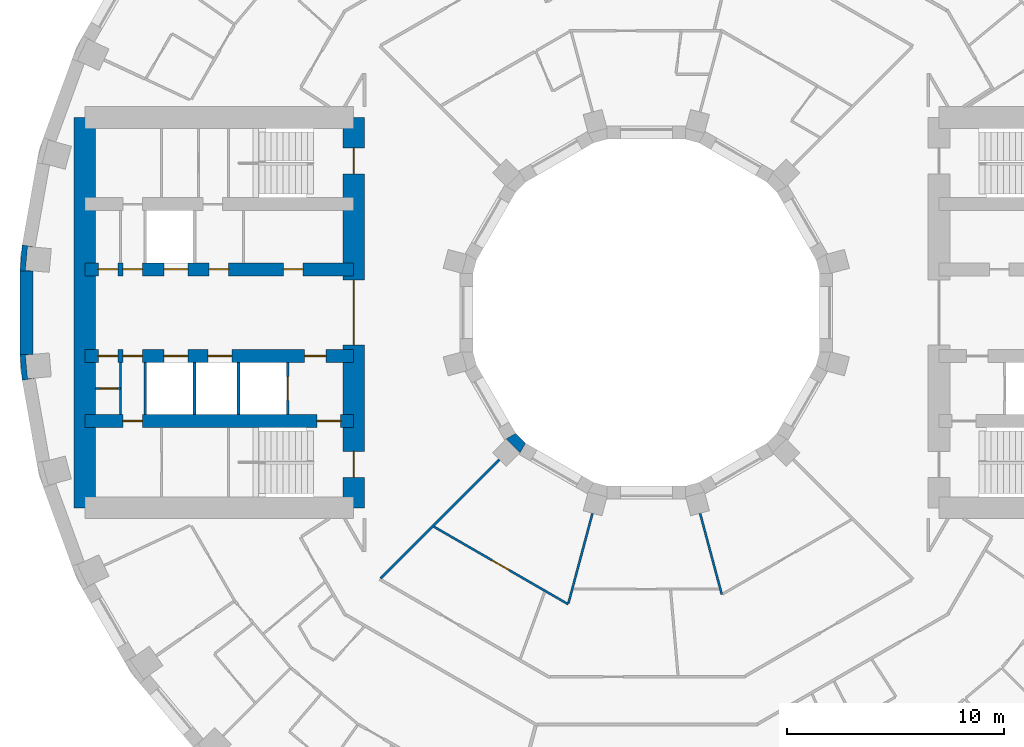
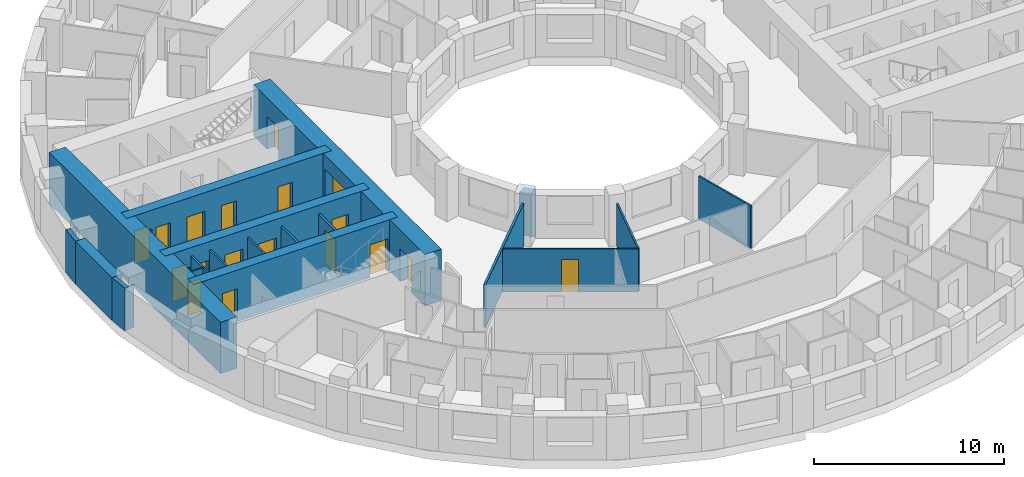
# One storey, part 4 of 14: 19 walls, 18 doors, 18 openings.
"""IFC4 building model written with IfcOpenShell, lengths in metres."""

from ifc_helpers import new_model, si_unit, direction, frame, frame_2d, origin, place, context, subcontext, project, spatial, polyline, rectangle, outline, extrude, material, layer, layer_set, type_object, element, fill, save


model = new_model("IFC4")

# Units and contexts
model_context = context("Model", 3, precision=1e-05, world=origin(), true_north=direction((0.0, 1.0)))
body_context = subcontext(model_context, "Body", "Model", "MODEL_VIEW")
ifc_project = project(units=[si_unit("LENGTHUNIT", "METRE"), si_unit("AREAUNIT", "SQUARE_METRE"), si_unit("VOLUMEUNIT", "CUBIC_METRE"), si_unit("PLANEANGLEUNIT", "RADIAN"), si_unit("MASSUNIT", "GRAM", prefix="KILO")], contexts=[model_context])

# Site, building, storey
site_placement = place(None, origin())
site = spatial("IfcSite", under=ifc_project, at=site_placement, CompositionType="ELEMENT")
building_placement = place(site_placement, origin())
building = spatial("IfcBuilding", under=site, at=building_placement, Name="Saqina Gate Tower", CompositionType="ELEMENT")
storey_placement = place(building_placement, frame((0.0, 0.0, 49.39990234375)))
storey = spatial("IfcBuildingStorey", under=building, at=storey_placement, Name="L13", CompositionType="ELEMENT", Elevation=49.39990234375)

# Walls
ifc_material_1 = material(Name="Brick masonry (red)", Category="masonry")
wall_type_1 = type_object("IfcWallType", Name="BRICK PIER COPING RED", PredefinedType="SOLIDWALL", material=ifc_material_1)
wall_1_placement = place(storey_placement, origin())
element("IfcWall", 1, at=wall_1_placement, inside=storey, type_object=wall_type_1, Name="Pier cap L13 column 18", PredefinedType="SOLIDWALL", context=body_context, shape_type="SweptSolid", body=[
    extrude(outline(polyline([(-28.78466796875, 3.122802734375), (-28.8896484375, 1.9228515625), (-28.28955078125, 1.9228515625), (-28.638671875, 1.95361328125), (-28.54296875, 3.04931640625), (-28.19384765625, 3.018798828125), (-28.78466796875, 3.122802734375)])), origin(), (0.0, 0.0, 1.0), 2.75),
])
wall_2_placement = place(storey_placement, origin())
element("IfcWall", 2, at=wall_2_placement, inside=storey, type_object=wall_type_1, Name="Pier cap L13 column 19", PredefinedType="SOLIDWALL", context=body_context, shape_type="SweptSolid", body=[
    extrude(outline(polyline([(-28.8896484375, -1.9228515625), (-28.78466796875, -3.122802734375), (-28.19384765625, -3.018798828125), (-28.54296875, -3.04931640625), (-28.638671875, -1.95361328125), (-28.28955078125, -1.9228515625), (-28.8896484375, -1.9228515625)])), origin(), (0.0, 0.0, 1.0), 2.75),
])
ifc_material_2 = material(Name="Gypsum board on steel studs", Category="steel")
ifc_layer_1 = layer(ifc_material_2, 0.10009765625)
ifc_layer_set_1 = layer_set([ifc_layer_1], Name="CORE PARTITION")
wall_type_2 = type_object("IfcWallType", Name="CORE PARTITION", PredefinedType="PARTITIONING", material=ifc_layer_set_1)
wall_3_placement = place(storey_placement, frame((-24.260009765625, -4.699951171875, 0.0), z_axis=(0.0, 0.0, 1.0), x_axis=(0.0, 1.0, 0.0)))
element("IfcWall", 3, at=wall_3_placement, inside=storey, type_object=wall_type_2, Name="L13-CP-W09", PredefinedType="PARTITIONING", context=body_context, shape_type="SweptSolid", body=[
    extrude(rectangle(XDim=2.39990234375, YDim=0.10009765625, at=frame_2d((1.199951171875, 0.0))), origin(), (0.0, 0.0, 1.0), 2.75),
])

# Wall, opening, door
wall_4_placement = place(storey_placement, frame((-24.260009765625, -3.5, 0.0), z_axis=(0.0, 0.0, 1.0), x_axis=(-1.0, 0.0, 0.0)))
wall_4 = element("IfcWall", 4, at=wall_4_placement, inside=storey, type_object=wall_type_2, Name="L13-CP-W10", PredefinedType="PARTITIONING", context=body_context, shape_type="SweptSolid", body=[
    extrude(rectangle(XDim=1.139892578125, YDim=0.10009765625, at=frame_2d((0.56982421875, 0.0))), origin(), (0.0, 0.0, 1.0), 2.75),
])
opening_1_placement = place(wall_4_placement, frame((0.14990234375, 0.0, 0.0)))
opening_1 = element("IfcOpeningElement", 5, at=opening_1_placement, cuts=wall_4, Name="Opening G03-D117", PredefinedType="OPENING", context=body_context, shape_type="SweptSolid", body=[
    extrude(rectangle(XDim=0.800048828125, YDim=2.10009765625, at=frame_2d((0.39990234375, 1.050048828125))), frame((0.0, 0.06201171875, 0.0), z_axis=(0.0, -1.0, 0.0), x_axis=(1.0, 0.0, 0.0)), (0.0, 0.0, 1.0), 0.1240234375),
])
ifc_material_3 = material(Name="Steel-framed fire door leaf, EI 60", Category="steel")
door_type_1 = type_object("IfcDoorType", Name="SERVICE ROOM DOOR 800", OperationType="SINGLE_SWING_LEFT", PredefinedType="DOOR", material=ifc_material_3)
door_1_placement = place(opening_1_placement, origin())
door_1 = element("IfcDoor", 6, at=door_1_placement, inside=storey, type_object=door_type_1, Name="L13-CD-W28", OperationType="SINGLE_SWING_RIGHT", OverallHeight=2.10009765625, OverallWidth=0.800048828125, PredefinedType="DOOR", context=body_context, shape_type="SweptSolid", body=[
    extrude(rectangle(XDim=0.800048828125, YDim=2.10009765625, at=frame_2d((0.39990234375, 1.050048828125))), frame((0.0, 0.02490234375, 0.0), z_axis=(0.0, -1.0, 0.0), x_axis=(1.0, 0.0, 0.0)), (0.0, 0.0, 1.0), 0.050048828125),
])
fill(opening_1, door_1)

# Walls
ifc_material_4 = material(Name="Glazed ceramic tile", Category="ceramic")
ifc_layer_2 = layer(ifc_material_4, 0.60009765625)
ifc_layer_set_2 = layer_set([ifc_layer_2], Name="FW-TILE")
wall_type_3 = type_object("IfcWallType", Name="FW-TILE", PredefinedType="SOLIDWALL", material=ifc_layer_set_2)
wall_5_placement = place(storey_placement, frame((-28.589599609375, 1.9228515625, 0.0), z_axis=(0.0, 0.0, 1.0), x_axis=(0.0, -1.0, 0.0)))
element("IfcWall", 7, at=wall_5_placement, inside=storey, type_object=wall_type_3, Name="Facade wall L13 facet 18", PredefinedType="SOLIDWALL", context=body_context, shape_type="SweptSolid", body=[
    extrude(rectangle(XDim=3.845703125, YDim=0.60009765625, at=frame_2d((1.9228515625, 0.0))), origin(), (0.0, 0.0, 1.0), 2.75),
])
ifc_material_5 = material(Name="Gypsum board on steel studs, 100 mm", Category="steel")
ifc_layer_3 = layer(ifc_material_5, 0.10009765625)
ifc_layer_set_3 = layer_set([ifc_layer_3], Name="PARTITION 100")
wall_type_4 = type_object("IfcWallType", Name="PARTITION 100", PredefinedType="PARTITIONING", material=ifc_layer_set_3)
wall_6_placement = place(storey_placement, frame((2.482666015625, -9.265380859375, 0.0), z_axis=(0.0, 0.0, 1.0), x_axis=(0.258711886123, -0.96595453308, 0.0)))
element("IfcWall", 8, at=wall_6_placement, inside=storey, type_object=wall_type_4, Name="PARTITION PW3-09", PredefinedType="PARTITIONING", context=body_context, shape_type="SweptSolid", body=[
    extrude(rectangle(XDim=3.8662109375, YDim=0.10009765625, at=frame_2d((1.93310546875, 0.0))), origin(), (0.0, 0.0, 1.0), 2.75),
])

# Wall, opening, door
wall_7_placement = place(storey_placement, frame((-9.7919921875, -9.877197265625, 0.0), z_axis=(0.0, 0.0, 1.0), x_axis=(0.866018300902, -0.500012302351, 0.0)))
wall_7 = element("IfcWall", 9, at=wall_7_placement, inside=storey, type_object=wall_type_4, Name="PARTITION PW3-47", PredefinedType="PARTITIONING", context=body_context, shape_type="SweptSolid", body=[
    extrude(rectangle(XDim=7.145263671875, YDim=0.10009765625, at=frame_2d((3.57275390625, 0.0))), origin(), (0.0, 0.0, 1.0), 2.75),
])
opening_2_placement = place(wall_7_placement, frame((3.09130859375, 0.0, 0.0)))
opening_2 = element("IfcOpeningElement", 10, at=opening_2_placement, cuts=wall_7, Name="Opening G03-D50", PredefinedType="OPENING", context=body_context, shape_type="SweptSolid", body=[
    extrude(rectangle(XDim=0.89990234375, YDim=2.10009765625, at=frame_2d((0.449951171875, 1.050048828125))), frame((0.0, 0.06201171875, 0.0), z_axis=(0.0, -1.0, 0.0), x_axis=(1.0, 0.0, 0.0)), (0.0, 0.0, 1.0), 0.1240234375),
])
ifc_material_6 = material(Name="Timber door leaf, 900 mm", Category="wood")
door_type_2 = type_object("IfcDoorType", Name="DOOR 900 TIMBER", OperationType="SINGLE_SWING_LEFT", PredefinedType="DOOR", material=ifc_material_6)
door_2_placement = place(opening_2_placement, origin())
door_2 = element("IfcDoor", 11, at=door_2_placement, inside=storey, type_object=door_type_2, Name="DOOR G03-D50", OperationType="SINGLE_SWING_LEFT", OverallHeight=2.10009765625, OverallWidth=0.89990234375, PredefinedType="DOOR", context=body_context, shape_type="SweptSolid", body=[
    extrude(rectangle(XDim=0.89990234375, YDim=2.10009765625, at=frame_2d((0.449951171875, 1.050048828125))), frame((0.0, 0.02490234375, 0.0), z_axis=(0.0, -1.0, 0.0), x_axis=(1.0, 0.0, 0.0)), (0.0, 0.0, 1.0), 0.050048828125),
])
fill(opening_2, door_2)

# Walls
wall_8_placement = place(storey_placement, frame((-3.591064453125, -13.401611328125, 0.0), z_axis=(0.0, 0.0, 1.0), x_axis=(0.258212632103, 0.966088110175, 0.0)))
element("IfcWall", 12, at=wall_8_placement, inside=storey, type_object=wall_type_4, Name="PARTITION PW3-118", PredefinedType="PARTITIONING", context=body_context, shape_type="SweptSolid", body=[
    extrude(rectangle(XDim=4.2822265625, YDim=0.10009765625, at=frame_2d((2.14111328125, 0.0))), origin(), (0.0, 0.0, 1.0), 2.75),
])
ifc_material_7 = material(Name="Gypsum board on steel studs, 125 mm, fire rated", Category="steel")
ifc_layer_4 = layer(ifc_material_7, 0.125)
ifc_layer_set_4 = layer_set([ifc_layer_4], Name="PARTITION EI 30 125")
wall_type_5 = type_object("IfcWallType", Name="PARTITION EI 30 125", PredefinedType="PARTITIONING", material=ifc_layer_set_4)
wall_9_placement = place(storey_placement, frame((-12.25390625, -12.25390625, 0.0), z_axis=(0.0, 0.0, 1.0), x_axis=(0.707106781187, 0.707106781187, 0.0)))
element("IfcWall", 13, at=wall_9_placement, inside=storey, type_object=wall_type_5, Name="PARTITION PW1-47", PredefinedType="PARTITIONING", context=body_context, shape_type="SweptSolid", body=[
    extrude(rectangle(XDim=7.737548828125, YDim=0.125, at=frame_2d((3.86865234375, 0.0))), origin(), (0.0, 0.0, 1.0), 2.75),
])

# Wall, opening, door
ifc_material_8 = material(Name="Autoclaved aerated concrete block", Category="concrete")
ifc_layer_5 = layer(ifc_material_8, 0.1201171875)
ifc_layer_set_5 = layer_set([ifc_layer_5], Name="SHAFT PARTITION")
wall_type_6 = type_object("IfcWallType", Name="SHAFT PARTITION", PredefinedType="PARTITIONING", material=ifc_layer_set_5)
wall_10_placement = place(storey_placement, frame((-16.530029296875, -4.699951171875, 0.0), z_axis=(0.0, 0.0, 1.0), x_axis=(0.0, 1.0, 0.0)))
wall_10 = element("IfcWall", 14, at=wall_10_placement, inside=storey, type_object=wall_type_6, Name="L13-CP-W05", PredefinedType="PARTITIONING", context=body_context, shape_type="SweptSolid", body=[
    extrude(rectangle(XDim=2.39990234375, YDim=0.1201171875, at=frame_2d((1.199951171875, 0.0))), origin(), (0.0, 0.0, 1.0), 2.75),
])
opening_3_placement = place(wall_10_placement, frame((0.64990234375, 0.0, 0.0)))
opening_3 = element("IfcOpeningElement", 15, at=opening_3_placement, cuts=wall_10, Name="Opening G03-LD6", PredefinedType="OPENING", context=body_context, shape_type="SweptSolid", body=[
    extrude(rectangle(XDim=1.10009765625, YDim=2.10009765625, at=frame_2d((0.550048828125, 1.050048828125))), frame((0.0, 0.072021484375, 0.0), z_axis=(0.0, -1.0, 0.0), x_axis=(1.0, 0.0, 0.0)), (0.0, 0.0, 1.0), 0.14404296875),
])
ifc_material_9 = material(Name="Stainless steel", Category="steel")
door_type_3 = type_object("IfcDoorType", Name="LANDING DOOR", OperationType="DOUBLE_DOOR_SLIDING", PredefinedType="DOOR", material=ifc_material_9)
door_3_placement = place(opening_3_placement, origin())
door_3 = element("IfcDoor", 16, at=door_3_placement, inside=storey, type_object=door_type_3, Name="LANDING DOOR FF2", OperationType="DOUBLE_DOOR_SLIDING", OverallHeight=2.10009765625, OverallWidth=1.10009765625, PredefinedType="DOOR", context=body_context, shape_type="SweptSolid", body=[
    extrude(rectangle(XDim=1.10009765625, YDim=2.10009765625, at=frame_2d((0.550048828125, 1.050048828125))), frame((0.0, 0.02490234375, 0.0), z_axis=(0.0, -1.0, 0.0), x_axis=(1.0, 0.0, 0.0)), (0.0, 0.0, 1.0), 0.050048828125),
])
fill(opening_3, door_3)

# Walls
for number, where, z_axis, x_axis, name in (
    (17, (-18.81005859375, -4.699951171875, 0.0), (0.0, 0.0, 1.0), (0.0, 1.0, 0.0), "L13-CP-W06"),
    (18, (-20.840087890625, -4.699951171875, 0.0), (0.0, 0.0, 1.0), (0.0, 1.0, 0.0), "L13-CP-W07"),
    (19, (-23.1201171875, -4.699951171875, 0.0), (0.0, 0.0, 1.0), (0.0, 1.0, 0.0), "L13-CP-W08"),
):
    element("IfcWall", number, at=place(storey_placement, frame(where, z_axis=z_axis, x_axis=x_axis)), inside=storey, type_object=wall_type_6, Name=name, PredefinedType="PARTITIONING", context=body_context, shape_type="SweptSolid", body=[
        extrude(rectangle(XDim=2.39990234375, YDim=0.1201171875, at=frame_2d((1.199951171875, 0.0))), origin(), (0.0, 0.0, 1.0), 2.75),
    ])

# Wall, openings, doors
ifc_material_10 = material(Name="Concrete C70/85", Category="concrete")
ifc_layer_6 = layer(ifc_material_10, 0.60009765625)
ifc_layer_set_6 = layer_set([ifc_layer_6], Name="Concrete C70/85")
wall_type_7 = type_object("IfcWallType", Name="STR-CORE WALL-A-I", PredefinedType="SHEAR", material=ifc_layer_set_6)
wall_11_placement = place(storey_placement, frame((-13.5, -5.0, 0.0), z_axis=(0.0, 0.0, 1.0), x_axis=(-1.0, 0.0, 0.0)))
wall_11 = element("IfcWall", 20, at=wall_11_placement, inside=storey, type_object=wall_type_7, Name="CORE WALL L13 W-X2", PredefinedType="SHEAR", context=body_context, shape_type="SweptSolid", body=[
    extrude(rectangle(XDim=12.39990234375, YDim=0.60009765625, at=frame_2d((6.199951171875, 0.0))), origin(), (0.0, 0.0, 1.0), 3.300048828125),
])
opening_4_placement = place(wall_11_placement, frame((9.739990234375, 0.0, 0.0)))
opening_4 = element("IfcOpeningElement", 21, at=opening_4_placement, cuts=wall_11, Name="Opening G03-D119", PredefinedType="OPENING", context=body_context, shape_type="SweptSolid", body=[
    extrude(rectangle(XDim=0.89990234375, YDim=2.10009765625, at=frame_2d((0.449951171875, 1.050048828125))), frame((0.0, 0.31201171875, 0.0), z_axis=(0.0, -1.0, 0.0), x_axis=(1.0, 0.0, 0.0)), (0.0, 0.0, 1.0), 0.6240234375),
])
opening_5_placement = place(wall_11_placement, frame((0.60009765625, 0.0, 0.0)))
opening_5 = element("IfcOpeningElement", 22, at=opening_5_placement, cuts=wall_11, Name="Opening G03-D120", PredefinedType="OPENING", context=body_context, shape_type="SweptSolid", body=[
    extrude(rectangle(XDim=1.10009765625, YDim=2.10009765625, at=frame_2d((0.550048828125, 1.050048828125))), frame((0.0, 0.31201171875, 0.0), z_axis=(0.0, -1.0, 0.0), x_axis=(1.0, 0.0, 0.0)), (0.0, 0.0, 1.0), 0.6240234375),
])
ifc_material_11 = material(Name="Steel", Category="steel")
door_type_4 = type_object("IfcDoorType", Name="FIRE LOBBY DOOR EI 60 WIDE", OperationType="SINGLE_SWING_LEFT", PredefinedType="DOOR", material=ifc_material_11)
door_4_placement = place(opening_5_placement, origin())
door_4 = element("IfcDoor", 23, at=door_4_placement, inside=storey, type_object=door_type_4, Name="L13-CD-W31", OperationType="SINGLE_SWING_LEFT", OverallHeight=2.10009765625, OverallWidth=1.10009765625, PredefinedType="DOOR", context=body_context, shape_type="SweptSolid", body=[
    extrude(rectangle(XDim=1.10009765625, YDim=2.10009765625, at=frame_2d((0.550048828125, 1.050048828125))), frame((0.0, 0.02490234375, 0.0), z_axis=(0.0, -1.0, 0.0), x_axis=(1.0, 0.0, 0.0)), (0.0, 0.0, 1.0), 0.050048828125),
])
fill(opening_5, door_4)
ifc_material_12 = material(Name="Steel-framed fire door leaf, EI 60", Category="steel")
door_type_5 = type_object("IfcDoorType", Name="SERVICE ROOM DOOR 900", OperationType="SINGLE_SWING_LEFT", PredefinedType="DOOR", material=ifc_material_12)
door_5_placement = place(opening_4_placement, origin())
door_5 = element("IfcDoor", 24, at=door_5_placement, inside=storey, type_object=door_type_5, Name="L13-CD-W30", OperationType="SINGLE_SWING_RIGHT", OverallHeight=2.10009765625, OverallWidth=0.89990234375, PredefinedType="DOOR", context=body_context, shape_type="SweptSolid", body=[
    extrude(rectangle(XDim=0.89990234375, YDim=2.10009765625, at=frame_2d((0.449951171875, 1.050048828125))), frame((0.0, 0.02490234375, 0.0), z_axis=(0.0, -1.0, 0.0), x_axis=(1.0, 0.0, 0.0)), (0.0, 0.0, 1.0), 0.050048828125),
])
fill(opening_4, door_5)

wall_12_placement = place(storey_placement, frame((-13.5, 2.0, 0.0), z_axis=(0.0, 0.0, 1.0), x_axis=(-1.0, 0.0, 0.0)))
wall_12 = element("IfcWall", 25, at=wall_12_placement, inside=storey, type_object=wall_type_7, Name="CORE WALL L13 W-L1", PredefinedType="SHEAR", context=body_context, shape_type="SweptSolid", body=[
    extrude(rectangle(XDim=12.39990234375, YDim=0.60009765625, at=frame_2d((6.199951171875, 0.0))), origin(), (0.0, 0.0, 1.0), 3.300048828125),
])
opening_6_placement = place(wall_12_placement, frame((7.64990234375, 0.0, 0.0)))
opening_6 = element("IfcOpeningElement", 26, at=opening_6_placement, cuts=wall_12, Name="Opening G03-LD5", PredefinedType="OPENING", context=body_context, shape_type="SweptSolid", body=[
    extrude(rectangle(XDim=1.10009765625, YDim=2.10009765625, at=frame_2d((0.550048828125, 1.050048828125))), frame((0.0, 0.31201171875, 0.0), z_axis=(0.0, -1.0, 0.0), x_axis=(1.0, 0.0, 0.0)), (0.0, 0.0, 1.0), 0.6240234375),
])
opening_7_placement = place(wall_12_placement, frame((2.34130859375, 0.0, 0.0)))
opening_7 = element("IfcOpeningElement", 27, at=opening_7_placement, cuts=wall_12, Name="Opening G03-D107", PredefinedType="OPENING", context=body_context, shape_type="SweptSolid", body=[
    extrude(rectangle(XDim=0.89990234375, YDim=2.10009765625, at=frame_2d((0.449951171875, 1.050048828125))), frame((0.0, 0.31201171875, 0.0), z_axis=(0.0, -1.0, 0.0), x_axis=(1.0, 0.0, 0.0)), (0.0, 0.0, 1.0), 0.6240234375),
])
opening_8_placement = place(wall_12_placement, frame((5.761474609375, 0.0, 0.0)))
opening_8 = element("IfcOpeningElement", 28, at=opening_8_placement, cuts=wall_12, Name="Opening G03-D108", PredefinedType="OPENING", context=body_context, shape_type="SweptSolid", body=[
    extrude(rectangle(XDim=0.89990234375, YDim=2.10009765625, at=frame_2d((0.449951171875, 1.050048828125))), frame((0.0, 0.31201171875, 0.0), z_axis=(0.0, -1.0, 0.0), x_axis=(1.0, 0.0, 0.0)), (0.0, 0.0, 1.0), 0.6240234375),
])
opening_9_placement = place(wall_12_placement, frame((9.739990234375, 0.0, 0.0)))
opening_9 = element("IfcOpeningElement", 29, at=opening_9_placement, cuts=wall_12, Name="Opening G03-D109", PredefinedType="OPENING", context=body_context, shape_type="SweptSolid", body=[
    extrude(rectangle(XDim=0.89990234375, YDim=2.10009765625, at=frame_2d((0.449951171875, 1.050048828125))), frame((0.0, 0.31201171875, 0.0), z_axis=(0.0, -1.0, 0.0), x_axis=(1.0, 0.0, 0.0)), (0.0, 0.0, 1.0), 0.6240234375),
])
opening_10_placement = place(wall_12_placement, frame((10.8798828125, 0.0, 0.0)))
opening_10 = element("IfcOpeningElement", 30, at=opening_10_placement, cuts=wall_12, Name="Opening G03-D110", PredefinedType="OPENING", context=body_context, shape_type="SweptSolid", body=[
    extrude(rectangle(XDim=0.89990234375, YDim=2.10009765625, at=frame_2d((0.449951171875, 1.050048828125))), frame((0.0, 0.31201171875, 0.0), z_axis=(0.0, -1.0, 0.0), x_axis=(1.0, 0.0, 0.0)), (0.0, 0.0, 1.0), 0.6240234375),
])
door_6_placement = place(opening_6_placement, origin())
door_6 = element("IfcDoor", 31, at=door_6_placement, inside=storey, type_object=door_type_3, Name="LANDING DOOR LR4", OperationType="DOUBLE_DOOR_SLIDING", OverallHeight=2.10009765625, OverallWidth=1.10009765625, PredefinedType="DOOR", context=body_context, shape_type="SweptSolid", body=[
    extrude(rectangle(XDim=1.10009765625, YDim=2.10009765625, at=frame_2d((0.550048828125, 1.050048828125))), frame((0.0, 0.02490234375, 0.0), z_axis=(0.0, -1.0, 0.0), x_axis=(1.0, 0.0, 0.0)), (0.0, 0.0, 1.0), 0.050048828125),
])
fill(opening_6, door_6)
door_7_placement = place(opening_7_placement, frame((0.89990234375, 0.0, 0.0), z_axis=(0.0, 0.0, 1.0), x_axis=(-1.0, 0.0, 0.0)))
door_7 = element("IfcDoor", 32, at=door_7_placement, inside=storey, type_object=door_type_5, Name="L13-CD-W18", OperationType="SINGLE_SWING_RIGHT", OverallHeight=2.10009765625, OverallWidth=0.89990234375, PredefinedType="DOOR", context=body_context, shape_type="SweptSolid", body=[
    extrude(rectangle(XDim=0.89990234375, YDim=2.10009765625, at=frame_2d((0.449951171875, 1.050048828125))), frame((0.0, 0.02490234375, 0.0), z_axis=(0.0, -1.0, 0.0), x_axis=(1.0, 0.0, 0.0)), (0.0, 0.0, 1.0), 0.050048828125),
])
fill(opening_7, door_7)
door_8_placement = place(opening_8_placement, frame((0.89990234375, 0.0, 0.0), z_axis=(0.0, 0.0, 1.0), x_axis=(-1.0, 0.0, 0.0)))
door_8 = element("IfcDoor", 33, at=door_8_placement, inside=storey, type_object=door_type_5, Name="L13-CD-W19", OperationType="SINGLE_SWING_LEFT", OverallHeight=2.10009765625, OverallWidth=0.89990234375, PredefinedType="DOOR", context=body_context, shape_type="SweptSolid", body=[
    extrude(rectangle(XDim=0.89990234375, YDim=2.10009765625, at=frame_2d((0.449951171875, 1.050048828125))), frame((0.0, 0.02490234375, 0.0), z_axis=(0.0, -1.0, 0.0), x_axis=(1.0, 0.0, 0.0)), (0.0, 0.0, 1.0), 0.050048828125),
])
fill(opening_8, door_8)
door_9_placement = place(opening_9_placement, frame((0.89990234375, 0.0, 0.0), z_axis=(0.0, 0.0, 1.0), x_axis=(-1.0, 0.0, 0.0)))
door_9 = element("IfcDoor", 34, at=door_9_placement, inside=storey, type_object=door_type_5, Name="L13-CD-W20", OperationType="SINGLE_SWING_RIGHT", OverallHeight=2.10009765625, OverallWidth=0.89990234375, PredefinedType="DOOR", context=body_context, shape_type="SweptSolid", body=[
    extrude(rectangle(XDim=0.89990234375, YDim=2.10009765625, at=frame_2d((0.449951171875, 1.050048828125))), frame((0.0, 0.02490234375, 0.0), z_axis=(0.0, -1.0, 0.0), x_axis=(1.0, 0.0, 0.0)), (0.0, 0.0, 1.0), 0.050048828125),
])
fill(opening_9, door_9)
door_10_placement = place(opening_10_placement, frame((0.89990234375, 0.0, 0.0), z_axis=(0.0, 0.0, 1.0), x_axis=(-1.0, 0.0, 0.0)))
door_10 = element("IfcDoor", 35, at=door_10_placement, inside=storey, type_object=door_type_5, Name="L13-CD-W21", OperationType="SINGLE_SWING_LEFT", OverallHeight=2.10009765625, OverallWidth=0.89990234375, PredefinedType="DOOR", context=body_context, shape_type="SweptSolid", body=[
    extrude(rectangle(XDim=0.89990234375, YDim=2.10009765625, at=frame_2d((0.449951171875, 1.050048828125))), frame((0.0, 0.02490234375, 0.0), z_axis=(0.0, -1.0, 0.0), x_axis=(1.0, 0.0, 0.0)), (0.0, 0.0, 1.0), 0.050048828125),
])
fill(opening_10, door_10)

wall_13_placement = place(storey_placement, frame((-13.5, -2.0, 0.0), z_axis=(0.0, 0.0, 1.0), x_axis=(-1.0, 0.0, 0.0)))
wall_13 = element("IfcWall", 36, at=wall_13_placement, inside=storey, type_object=wall_type_7, Name="CORE WALL L13 W-L2", PredefinedType="SHEAR", context=body_context, shape_type="SweptSolid", body=[
    extrude(rectangle(XDim=12.39990234375, YDim=0.60009765625, at=frame_2d((6.199951171875, 0.0))), origin(), (0.0, 0.0, 1.0), 3.300048828125),
])
opening_11_placement = place(wall_13_placement, frame((5.6201171875, 0.0, 0.0)))
opening_11 = element("IfcOpeningElement", 37, at=opening_11_placement, cuts=wall_13, Name="Opening G03-LD7", PredefinedType="OPENING", context=body_context, shape_type="SweptSolid", body=[
    extrude(rectangle(XDim=1.10009765625, YDim=2.10009765625, at=frame_2d((0.550048828125, 1.050048828125))), frame((0.0, 0.31201171875, 0.0), z_axis=(0.0, -1.0, 0.0), x_axis=(1.0, 0.0, 0.0)), (0.0, 0.0, 1.0), 0.6240234375),
])
opening_12_placement = place(wall_13_placement, frame((7.64990234375, 0.0, 0.0)))
opening_12 = element("IfcOpeningElement", 38, at=opening_12_placement, cuts=wall_13, Name="Opening G03-LD8", PredefinedType="OPENING", context=body_context, shape_type="SweptSolid", body=[
    extrude(rectangle(XDim=1.10009765625, YDim=2.10009765625, at=frame_2d((0.550048828125, 1.050048828125))), frame((0.0, 0.31201171875, 0.0), z_axis=(0.0, -1.0, 0.0), x_axis=(1.0, 0.0, 0.0)), (0.0, 0.0, 1.0), 0.6240234375),
])
opening_13_placement = place(wall_13_placement, frame((1.264892578125, 0.0, 0.0)))
opening_13 = element("IfcOpeningElement", 39, at=opening_13_placement, cuts=wall_13, Name="Opening G03-D111", PredefinedType="OPENING", context=body_context, shape_type="SweptSolid", body=[
    extrude(rectangle(XDim=1.0, YDim=2.10009765625, at=frame_2d((0.5, 1.050048828125))), frame((0.0, 0.31201171875, 0.0), z_axis=(0.0, -1.0, 0.0), x_axis=(1.0, 0.0, 0.0)), (0.0, 0.0, 1.0), 0.6240234375),
])
opening_14_placement = place(wall_13_placement, frame((9.739990234375, 0.0, 0.0)))
opening_14 = element("IfcOpeningElement", 40, at=opening_14_placement, cuts=wall_13, Name="Opening G03-D112", PredefinedType="OPENING", context=body_context, shape_type="SweptSolid", body=[
    extrude(rectangle(XDim=0.89990234375, YDim=2.10009765625, at=frame_2d((0.449951171875, 1.050048828125))), frame((0.0, 0.31201171875, 0.0), z_axis=(0.0, -1.0, 0.0), x_axis=(1.0, 0.0, 0.0)), (0.0, 0.0, 1.0), 0.6240234375),
])
opening_15_placement = place(wall_13_placement, frame((10.8798828125, 0.0, 0.0)))
opening_15 = element("IfcOpeningElement", 41, at=opening_15_placement, cuts=wall_13, Name="Opening G03-D113", PredefinedType="OPENING", context=body_context, shape_type="SweptSolid", body=[
    extrude(rectangle(XDim=0.89990234375, YDim=2.10009765625, at=frame_2d((0.449951171875, 1.050048828125))), frame((0.0, 0.31201171875, 0.0), z_axis=(0.0, -1.0, 0.0), x_axis=(1.0, 0.0, 0.0)), (0.0, 0.0, 1.0), 0.6240234375),
])
ifc_material_13 = material(Name="Steel", Category="steel")
door_type_6 = type_object("IfcDoorType", Name="FIRE LOBBY DOOR EI 60", OperationType="SINGLE_SWING_LEFT", PredefinedType="DOOR", material=ifc_material_13)
door_11_placement = place(opening_13_placement, frame((1.0, 0.0, 0.0), z_axis=(0.0, 0.0, 1.0), x_axis=(-1.0, 0.0, 0.0)))
door_11 = element("IfcDoor", 42, at=door_11_placement, inside=storey, type_object=door_type_6, Name="L13-CD-W22", OperationType="SINGLE_SWING_RIGHT", OverallHeight=2.10009765625, OverallWidth=1.0, PredefinedType="DOOR", context=body_context, shape_type="SweptSolid", body=[
    extrude(rectangle(XDim=1.0, YDim=2.10009765625, at=frame_2d((0.5, 1.050048828125))), frame((0.0, 0.02490234375, 0.0), z_axis=(0.0, -1.0, 0.0), x_axis=(1.0, 0.0, 0.0)), (0.0, 0.0, 1.0), 0.050048828125),
])
fill(opening_13, door_11)
door_12_placement = place(opening_11_placement, origin())
door_12 = element("IfcDoor", 43, at=door_12_placement, inside=storey, type_object=door_type_3, Name="LANDING DOOR LR6", OperationType="DOUBLE_DOOR_SLIDING", OverallHeight=2.10009765625, OverallWidth=1.10009765625, PredefinedType="DOOR", context=body_context, shape_type="SweptSolid", body=[
    extrude(rectangle(XDim=1.10009765625, YDim=2.10009765625, at=frame_2d((0.550048828125, 1.050048828125))), frame((0.0, 0.02490234375, 0.0), z_axis=(0.0, -1.0, 0.0), x_axis=(1.0, 0.0, 0.0)), (0.0, 0.0, 1.0), 0.050048828125),
])
fill(opening_11, door_12)
door_13_placement = place(opening_12_placement, origin())
door_13 = element("IfcDoor", 44, at=door_13_placement, inside=storey, type_object=door_type_3, Name="LANDING DOOR LR5", OperationType="DOUBLE_DOOR_SLIDING", OverallHeight=2.10009765625, OverallWidth=1.10009765625, PredefinedType="DOOR", context=body_context, shape_type="SweptSolid", body=[
    extrude(rectangle(XDim=1.10009765625, YDim=2.10009765625, at=frame_2d((0.550048828125, 1.050048828125))), frame((0.0, 0.02490234375, 0.0), z_axis=(0.0, -1.0, 0.0), x_axis=(1.0, 0.0, 0.0)), (0.0, 0.0, 1.0), 0.050048828125),
])
fill(opening_12, door_13)
door_14_placement = place(opening_14_placement, origin())
door_14 = element("IfcDoor", 45, at=door_14_placement, inside=storey, type_object=door_type_5, Name="L13-CD-W23", OperationType="SINGLE_SWING_LEFT", OverallHeight=2.10009765625, OverallWidth=0.89990234375, PredefinedType="DOOR", context=body_context, shape_type="SweptSolid", body=[
    extrude(rectangle(XDim=0.89990234375, YDim=2.10009765625, at=frame_2d((0.449951171875, 1.050048828125))), frame((0.0, 0.02490234375, 0.0), z_axis=(0.0, -1.0, 0.0), x_axis=(1.0, 0.0, 0.0)), (0.0, 0.0, 1.0), 0.050048828125),
])
fill(opening_14, door_14)
door_15_placement = place(opening_15_placement, origin())
door_15 = element("IfcDoor", 46, at=door_15_placement, inside=storey, type_object=door_type_5, Name="L13-CD-W24", OperationType="SINGLE_SWING_RIGHT", OverallHeight=2.10009765625, OverallWidth=0.89990234375, PredefinedType="DOOR", context=body_context, shape_type="SweptSolid", body=[
    extrude(rectangle(XDim=0.89990234375, YDim=2.10009765625, at=frame_2d((0.449951171875, 1.050048828125))), frame((0.0, 0.02490234375, 0.0), z_axis=(0.0, -1.0, 0.0), x_axis=(1.0, 0.0, 0.0)), (0.0, 0.0, 1.0), 0.050048828125),
])
fill(opening_15, door_15)

ifc_material_14 = material(Name="Concrete C70/85", Category="concrete")
ifc_layer_7 = layer(ifc_material_14, 1.0)
ifc_layer_set_7 = layer_set([ifc_layer_7], Name="Concrete C70/85")
wall_type_8 = type_object("IfcWallType", Name="STR-CORE WALL-A-O", PredefinedType="SHEAR", material=ifc_layer_set_7)
wall_14_placement = place(storey_placement, frame((-13.5, -9.0, 0.0), z_axis=(0.0, 0.0, 1.0), x_axis=(0.0, 1.0, 0.0)))
wall_14 = element("IfcWall", 47, at=wall_14_placement, inside=storey, type_object=wall_type_8, Name="CORE WALL L13 W-W1", PredefinedType="SHEAR", context=body_context, shape_type="SweptSolid", body=[
    extrude(rectangle(XDim=18.0, YDim=1.0, at=frame_2d((9.0, 0.0))), origin(), (0.0, 0.0, 1.0), 3.300048828125),
])
opening_16_placement = place(wall_14_placement, frame((15.39990234375, 0.0, 0.0)))
opening_16 = element("IfcOpeningElement", 48, at=opening_16_placement, cuts=wall_14, Name="Opening G03-D121", PredefinedType="OPENING", context=body_context, shape_type="SweptSolid", body=[
    extrude(rectangle(XDim=1.199951171875, YDim=2.10009765625, at=frame_2d((0.60009765625, 1.050048828125))), frame((0.0, 0.511962890625, 0.0), z_axis=(0.0, -1.0, 0.0), x_axis=(1.0, 0.0, 0.0)), (0.0, 0.0, 1.0), 1.02392578125),
])
opening_17_placement = place(wall_14_placement, frame((1.39990234375, 0.0, 0.0)))
opening_17 = element("IfcOpeningElement", 49, at=opening_17_placement, cuts=wall_14, Name="Opening G03-D122", PredefinedType="OPENING", context=body_context, shape_type="SweptSolid", body=[
    extrude(rectangle(XDim=1.199951171875, YDim=2.10009765625, at=frame_2d((0.60009765625, 1.050048828125))), frame((0.0, 0.511962890625, 0.0), z_axis=(0.0, -1.0, 0.0), x_axis=(1.0, 0.0, 0.0)), (0.0, 0.0, 1.0), 1.02392578125),
])
opening_18_placement = place(wall_14_placement, frame((7.5, 0.0, 0.0)))
opening_18 = element("IfcOpeningElement", 50, at=opening_18_placement, cuts=wall_14, Name="Opening G03-D123", PredefinedType="OPENING", context=body_context, shape_type="SweptSolid", body=[
    extrude(rectangle(XDim=3.0, YDim=2.39990234375, at=frame_2d((1.5, 1.199951171875))), frame((0.0, 0.511962890625, 0.0), z_axis=(0.0, -1.0, 0.0), x_axis=(1.0, 0.0, 0.0)), (0.0, 0.0, 1.0), 1.02392578125),
])
ifc_material_15 = material(Name="Steel", Category="steel")
door_type_7 = type_object("IfcDoorType", Name="FIRE DOOR EI 60", OperationType="SINGLE_SWING_LEFT", PredefinedType="DOOR", material=ifc_material_15)
door_16_placement = place(opening_16_placement, origin())
door_16 = element("IfcDoor", 51, at=door_16_placement, inside=storey, type_object=door_type_7, Name="L13-CD-W32", OperationType="SINGLE_SWING_RIGHT", OverallHeight=2.10009765625, OverallWidth=1.199951171875, PredefinedType="DOOR", context=body_context, shape_type="SweptSolid", body=[
    extrude(rectangle(XDim=1.199951171875, YDim=2.10009765625, at=frame_2d((0.60009765625, 1.050048828125))), frame((0.0, 0.02490234375, 0.0), z_axis=(0.0, -1.0, 0.0), x_axis=(1.0, 0.0, 0.0)), (0.0, 0.0, 1.0), 0.050048828125),
])
fill(opening_16, door_16)
door_17_placement = place(opening_17_placement, origin())
door_17 = element("IfcDoor", 52, at=door_17_placement, inside=storey, type_object=door_type_7, Name="L13-CD-W33", OperationType="SINGLE_SWING_LEFT", OverallHeight=2.10009765625, OverallWidth=1.199951171875, PredefinedType="DOOR", context=body_context, shape_type="SweptSolid", body=[
    extrude(rectangle(XDim=1.199951171875, YDim=2.10009765625, at=frame_2d((0.60009765625, 1.050048828125))), frame((0.0, 0.02490234375, 0.0), z_axis=(0.0, -1.0, 0.0), x_axis=(1.0, 0.0, 0.0)), (0.0, 0.0, 1.0), 0.050048828125),
])
fill(opening_17, door_17)
ifc_material_16 = material(Name="Steel and fire-resisting glass", Category="steel")
door_type_8 = type_object("IfcDoorType", Name="LOBBY SCREEN DOOR", OperationType="DOUBLE_DOOR_SLIDING", PredefinedType="DOOR", material=ifc_material_16)
door_18_placement = place(opening_18_placement, origin())
door_18 = element("IfcDoor", 53, at=door_18_placement, inside=storey, type_object=door_type_8, Name="L13-CD-W34", OperationType="DOUBLE_DOOR_SLIDING", OverallHeight=2.39990234375, OverallWidth=3.0, PredefinedType="DOOR", context=body_context, shape_type="SweptSolid", body=[
    extrude(rectangle(XDim=3.0, YDim=2.39990234375, at=frame_2d((1.5, 1.199951171875))), frame((0.0, 0.02490234375, 0.0), z_axis=(0.0, -1.0, 0.0), x_axis=(1.0, 0.0, 0.0)), (0.0, 0.0, 1.0), 0.050048828125),
])
fill(opening_18, door_18)

# Walls
wall_15_placement = place(storey_placement, frame((-25.89990234375, -9.0, 0.0), z_axis=(0.0, 0.0, 1.0), x_axis=(0.0, 1.0, 0.0)))
element("IfcWall", 54, at=wall_15_placement, inside=storey, type_object=wall_type_8, Name="CORE WALL L13 W-W2", PredefinedType="SHEAR", context=body_context, shape_type="SweptSolid", body=[
    extrude(rectangle(XDim=18.0, YDim=1.0, at=frame_2d((9.0, 0.0))), origin(), (0.0, 0.0, 1.0), 3.300048828125),
])
ifc_material_17 = material(Name="Glazed ceramic tile", Category="ceramic")
wall_type_9 = type_object("IfcWallType", Name="TILE PIER COPING", PredefinedType="SOLIDWALL", material=ifc_material_17)
wall_16_placement = place(storey_placement, origin())
element("IfcWall", 55, at=wall_16_placement, inside=storey, type_object=wall_type_9, Name="Well pier cap L13 column 8", PredefinedType="SOLIDWALL", context=body_context, shape_type="SweptSolid", body=[
    extrude(outline(polyline([(-6.45751953125, -5.821044921875), (-5.821044921875, -6.45751953125), (-5.569580078125, -6.02197265625), (-6.02197265625, -5.569580078125), (-6.45751953125, -5.821044921875)])), origin(), (0.0, 0.0, 1.0), 2.75),
])

save(model, "model.ifc")
